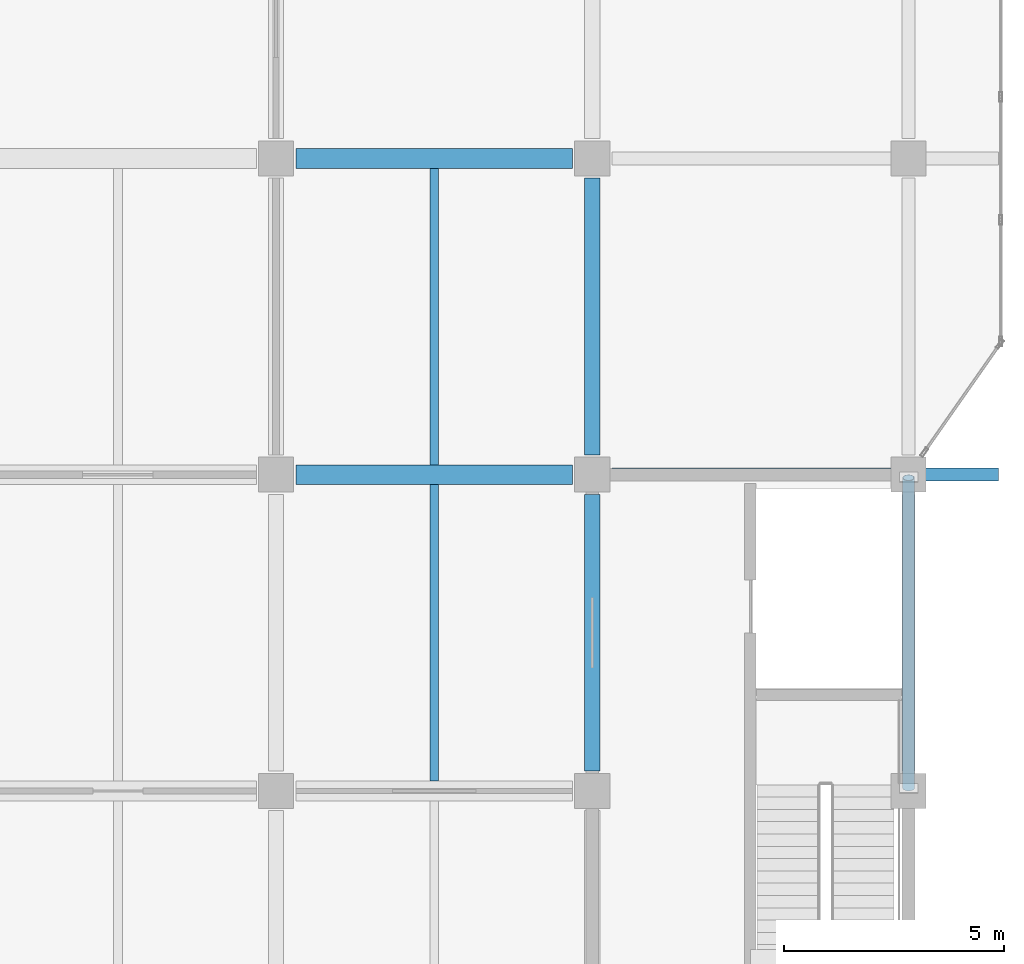
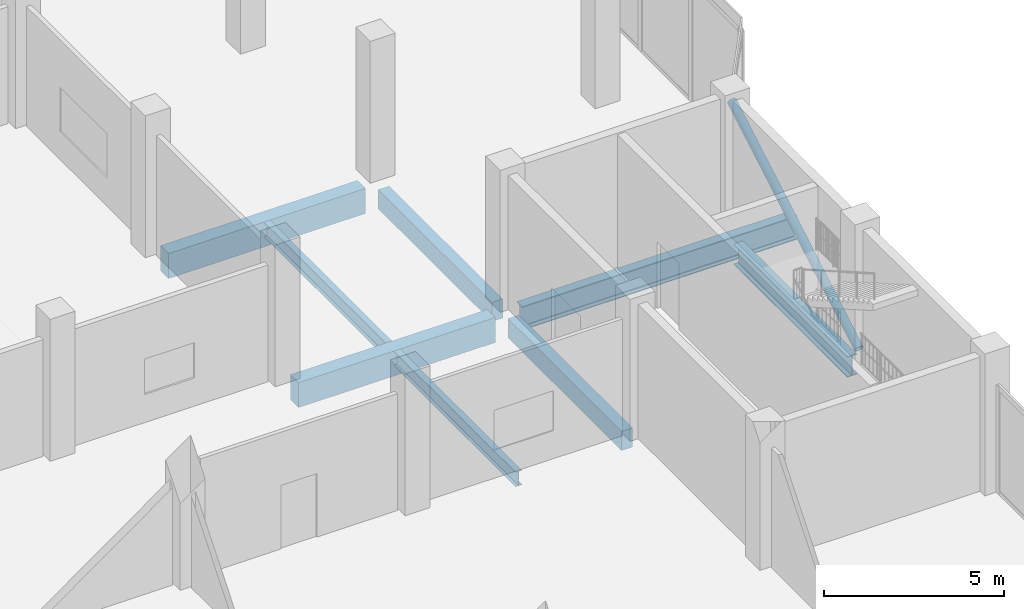
# One storey, part 46 of 99: 8 beams, 1 member.
"""IFC4 building model written with IfcOpenShell, lengths in metres."""

from ifc_helpers import new_model, si_unit, direction, frame, origin, origin_2d, place, context, subcontext, project, spatial, rectangle, hollow_circle, i_section, extrude, material, material_profile, profile_set, type_object, element, save


model = new_model("IFC4")

# Units and contexts
model_context = context("Model", 3, precision=1e-05, world=origin(), true_north=direction((0.0, 1.0)))
body_context = subcontext(model_context, "Body", "Model", "MODEL_VIEW")
ifc_project = project(units=[si_unit("LENGTHUNIT", "METRE"), si_unit("AREAUNIT", "SQUARE_METRE"), si_unit("VOLUMEUNIT", "CUBIC_METRE"), si_unit("PLANEANGLEUNIT", "RADIAN"), si_unit("MASSUNIT", "GRAM", prefix="KILO")], contexts=[model_context])

# Site, building, storey
site_placement = place(None, origin())
site = spatial("IfcSite", under=ifc_project, at=site_placement, CompositionType="ELEMENT")
building_placement = place(site_placement, origin())
building = spatial("IfcBuilding", under=site, at=building_placement, Name="Vesperath Aquatics Centre", CompositionType="ELEMENT")
storey_placement = place(building_placement, frame((0.0, 0.0, 5.39990234375)))
storey = spatial("IfcBuildingStorey", under=building, at=storey_placement, Name="L01", CompositionType="ELEMENT", Elevation=5.39990234375)

# Beams
ifc_material_1 = material(Name="Concrete C35", Category="concrete")
ifc_material_profile_1 = material_profile(ifc_material_1, rectangle(XDim=0.449951171875, YDim=0.85009765625, at=origin_2d()), Name="RC 450x850")
ifc_profile_set_1 = profile_set([ifc_material_profile_1], Name="Concrete C35")
beam_type_1 = type_object("IfcBeamType", Name="BM-G03", PredefinedType="BEAM", material=ifc_profile_set_1)
for number, where, z_axis, x_axis, name in (
    (1, (158.85009765625, 21.60009765625, -0.684814453125), (1.0, 0.0, 0.0), (0.0, 1.0, 0.0), "Floor Girder B03 L01 D 23-24"),
    (2, (158.85009765625, 28.800048828125, -0.684814453125), (1.0, 0.0, 0.0), (0.0, 1.0, 0.0), "Floor Girder B03 L01 E 23-24"),
):
    element("IfcBeam", number, at=place(storey_placement, frame(where, z_axis=z_axis, x_axis=x_axis)), inside=storey, type_object=beam_type_1, Name=name, PredefinedType="BEAM", context=body_context, shape_type="SweptSolid", body=[
        extrude(rectangle(XDim=0.449951171875, YDim=0.85009765625, at=origin_2d()), origin(), (0.0, 0.0, 1.0), 6.2998046875),
    ])
ifc_material_profile_2 = material_profile(ifc_material_1, rectangle(XDim=0.35009765625, YDim=0.64990234375, at=origin_2d()), Name="RC 350x650")
ifc_profile_set_2 = profile_set([ifc_material_profile_2], Name="Concrete C35")
beam_type_2 = type_object("IfcBeamType", Name="BM-G05", PredefinedType="BEAM", material=ifc_profile_set_2)
beam_1_placement = place(storey_placement, frame((165.60009765625, 14.85009765625, -0.5849609375), z_axis=(0.0, 1.0, 0.0), x_axis=(-1.0, 0.0, 0.0)))
element("IfcBeam", 3, at=beam_1_placement, inside=storey, type_object=beam_type_2, Name="Floor Girder B05 L01 24 C-D", PredefinedType="BEAM", context=body_context, shape_type="SweptSolid", body=[
    extrude(rectangle(XDim=0.35009765625, YDim=0.64990234375, at=origin_2d()), origin(), (0.0, 0.0, 1.0), 6.2998046875),
])
beam_2_placement = place(storey_placement, frame((165.60009765625, 22.050048828125, -0.5849609375), z_axis=(0.0, 1.0, 0.0), x_axis=(-1.0, 0.0, 0.0)))
element("IfcBeam", 4, at=beam_2_placement, inside=storey, type_object=beam_type_2, Name="Floor Girder B05 L01 24 D-E", PredefinedType="BEAM", context=body_context, shape_type="SweptSolid", body=[
    extrude(rectangle(XDim=0.35009765625, YDim=0.64990234375, at=origin_2d()), origin(), (0.0, 0.0, 1.0), 6.300048828125),
])
ifc_material_2 = material(Name="Steel Q355D", Category="steel")
ifc_material_profile_3 = material_profile(ifc_material_2, i_section(OverallWidth=0.300048828125, OverallDepth=0.800048828125, WebThickness=0.013916015625, FlangeThickness=0.02587890625, FilletRadius=0.028076171875, at=origin_2d()), Name="HN 800x300x14x26")
ifc_profile_set_3 = profile_set([ifc_material_profile_3], Name="Steel Q355D")
beam_type_3 = type_object("IfcBeamType", Name="BM-G07", PredefinedType="BEAM", material=ifc_profile_set_3)
beam_3_placement = place(storey_placement, frame((166.050048828125, 21.60009765625, -0.659912109375), z_axis=(1.0, 0.0, 0.0), x_axis=(0.0, 1.0, 0.0)))
element("IfcBeam", 5, at=beam_3_placement, inside=storey, type_object=beam_type_3, Name="Floor Girder B07 L01 D 24-25", PredefinedType="BEAM", context=body_context, shape_type="SweptSolid", body=[
    extrude(i_section(OverallWidth=0.300048828125, OverallDepth=0.800048828125, WebThickness=0.013916015625, FlangeThickness=0.02587890625, FilletRadius=0.028076171875, at=origin_2d()), origin(), (0.0, 0.0, 1.0), 8.800048828125),
])
ifc_material_3 = material(Name="Steel Q355C", Category="steel")
ifc_material_profile_4 = material_profile(ifc_material_3, i_section(OverallWidth=0.300048828125, OverallDepth=0.699951171875, WebThickness=0.012939453125, FlangeThickness=0.02392578125, FilletRadius=0.028076171875, at=origin_2d()), Name="HN 700x300x13x24")
ifc_profile_set_4 = profile_set([ifc_material_profile_4], Name="Steel Q355C")
beam_type_4 = type_object("IfcBeamType", Name="BM-G08", PredefinedType="BEAM", material=ifc_profile_set_4)
beam_4_placement = place(storey_placement, frame((172.800048828125, 14.85009765625, -0.60986328125), z_axis=(0.0, 1.0, 0.0), x_axis=(-1.0, 0.0, 0.0)))
element("IfcBeam", 6, at=beam_4_placement, inside=storey, type_object=beam_type_4, Name="Floor Girder B08 L01 25 C-D", PredefinedType="BEAM", context=body_context, shape_type="SweptSolid", body=[
    extrude(i_section(OverallWidth=0.300048828125, OverallDepth=0.699951171875, WebThickness=0.012939453125, FlangeThickness=0.02392578125, FilletRadius=0.028076171875, at=origin_2d()), origin(), (0.0, 0.0, 1.0), 6.2998046875),
])
ifc_material_profile_5 = material_profile(ifc_material_3, i_section(OverallWidth=0.199951171875, OverallDepth=0.5, WebThickness=0.010009765625, FlangeThickness=0.01611328125, FilletRadius=0.02001953125, at=origin_2d()), Name="HN 500x200x10x16")
ifc_profile_set_5 = profile_set([ifc_material_profile_5], Name="Steel Q355C")
beam_type_5 = type_object("IfcBeamType", Name="BM-J02", PredefinedType="JOIST", material=ifc_profile_set_5)
for number, where, z_axis, x_axis, name in (
    (7, (162.0, 14.625, -0.510009765625), (0.0, 1.0, 0.0), (-1.0, 0.0, 0.0), "Secondary Floor Joist J02 L01 23/C"),
    (8, (162.0, 21.824951171875, -0.510009765625), (0.0, 1.0, 0.0), (-1.0, 0.0, 0.0), "Secondary Floor Joist J02 L01 23/D"),
):
    element("IfcBeam", number, at=place(storey_placement, frame(where, z_axis=z_axis, x_axis=x_axis)), inside=storey, type_object=beam_type_5, Name=name, PredefinedType="JOIST", context=body_context, shape_type="SweptSolid", body=[
        extrude(i_section(OverallWidth=0.199951171875, OverallDepth=0.5, WebThickness=0.010009765625, FlangeThickness=0.01611328125, FilletRadius=0.02001953125, at=origin_2d()), origin(), (0.0, 0.0, 1.0), 6.75),
    ])

# Member
ifc_material_profile_6 = material_profile(ifc_material_2, hollow_circle(Radius=0.136474609375, WallThickness=0.011962890625, at=origin_2d()), Name="CHS 273.0x12")
ifc_profile_set_6 = profile_set([ifc_material_profile_6], Name="Steel Q355D")
member_type = type_object("IfcMemberType", Name="MB-TS02", PredefinedType="STRUT", material=ifc_profile_set_6)
member_placement = place(storey_placement, frame((172.800048828125, 14.468994140625, 0.1904296875), z_axis=(0.0, 0.863785399272, 0.50385988529), x_axis=(-1.0, 0.0, 0.0)))
element("IfcMember", 9, at=member_placement, inside=storey, type_object=member_type, Name="Lateral Braced Frame Strut C6_E L01", PredefinedType="STRUT", context=body_context, shape_type="SweptSolid", body=[
    extrude(hollow_circle(Radius=0.136474609375, WallThickness=0.011962890625, at=origin_2d()), origin(), (0.0, 0.0, 1.0), 8.175537109375),
])

save(model, "model.ifc")
